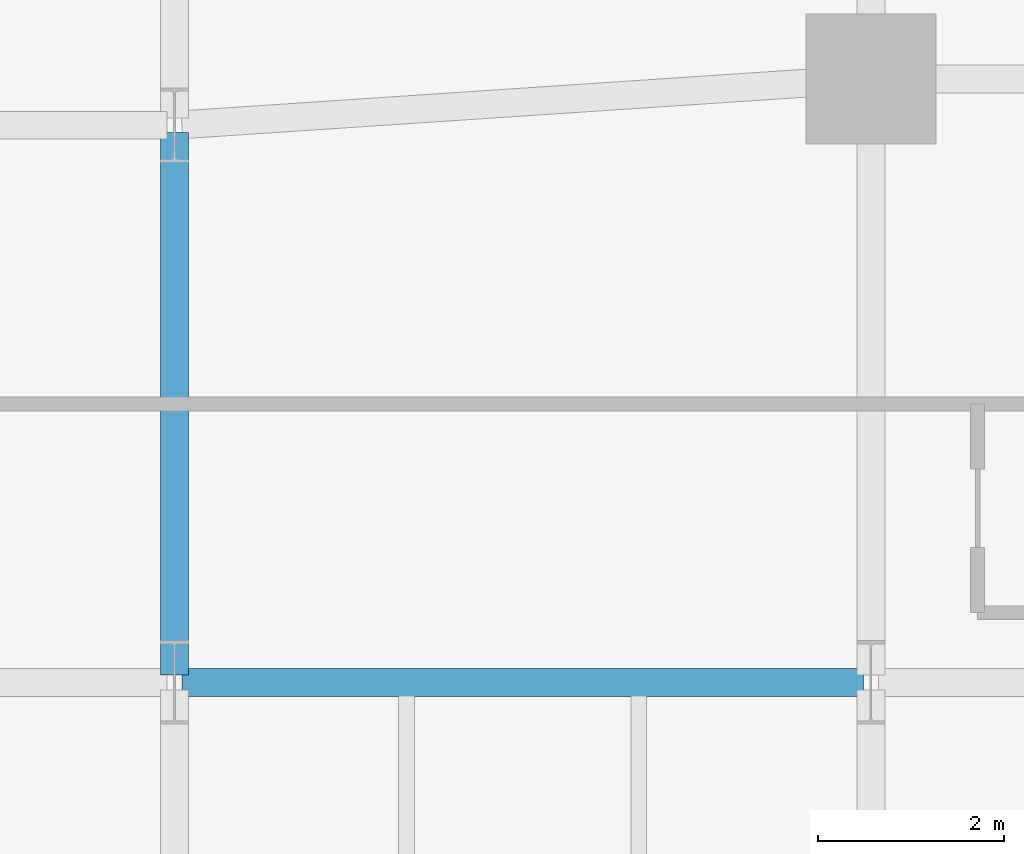
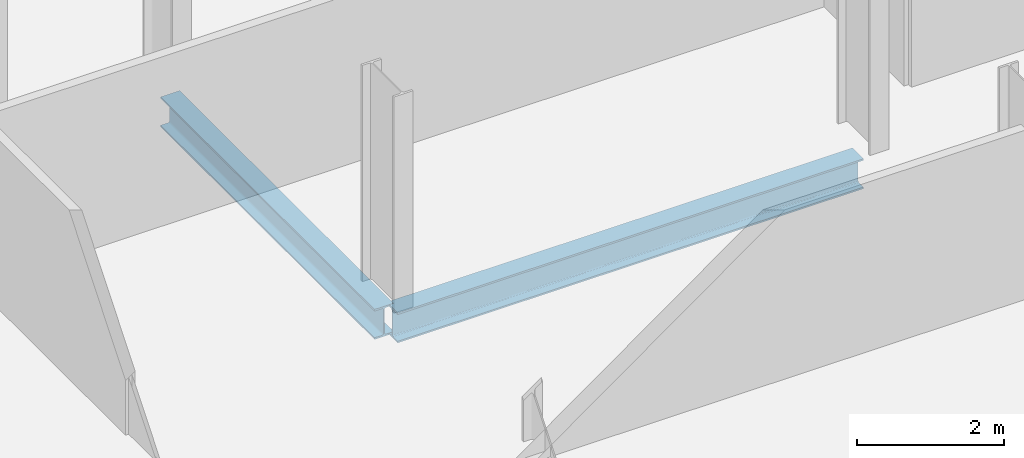
# One storey, part 10 of 33: 2 beams.
"""IFC4 building model written with IfcOpenShell, lengths in metres."""

from ifc_helpers import new_model, si_unit, direction, frame, origin, origin_2d, place, context, subcontext, project, spatial, i_section, extrude, material, material_profile, profile_set, type_object, element, save


model = new_model("IFC4")

# Units and contexts
model_context = context("Model", 3, precision=1e-05, world=origin(), true_north=direction((0.0, 1.0)))
body_context = subcontext(model_context, "Body", "Model", "MODEL_VIEW")
ifc_project = project(units=[si_unit("LENGTHUNIT", "METRE"), si_unit("AREAUNIT", "SQUARE_METRE"), si_unit("VOLUMEUNIT", "CUBIC_METRE"), si_unit("PLANEANGLEUNIT", "RADIAN"), si_unit("MASSUNIT", "GRAM", prefix="KILO")], contexts=[model_context])

# Site, building, storey
site_placement = place(None, origin())
site = spatial("IfcSite", under=ifc_project, at=site_placement, CompositionType="ELEMENT")
building_placement = place(site_placement, origin())
building = spatial("IfcBuilding", under=site, at=building_placement, Name="Catumbela Crestline Tower", CompositionType="ELEMENT")
storey_placement = place(building_placement, frame((0.0, 0.0, 51.0)))
storey = spatial("IfcBuildingStorey", under=building, at=storey_placement, Name="L12", CompositionType="ELEMENT", Elevation=51.0)

# Beams
ifc_material = material(Name="Structural steel S355J2", Category="steel")
ifc_material_profile = material_profile(ifc_material, i_section(OverallWidth=0.3, OverallDepth=0.5, WebThickness=0.0145, FlangeThickness=0.028, FilletRadius=0.027, at=origin_2d()), Name="HEB 500")
ifc_profile_set = profile_set([ifc_material_profile], Name="Structural steel S355J2")
beam_type = type_object("IfcBeamType", Name="BG-HEB500", PredefinedType="BEAM", material=ifc_profile_set)
beam_1_placement = place(storey_placement, frame((8.58, 18.0, -0.51), z_axis=(1.0, 0.0, 0.0), x_axis=(0.0, 1.0, 0.0)))
element("IfcBeam", 1, at=beam_1_placement, inside=storey, type_object=beam_type, Name="L12 Beam BM-L12-WEW55", PredefinedType="BEAM", context=body_context, shape_type="SweptSolid", body=[
    extrude(i_section(OverallWidth=0.3, OverallDepth=0.5, WebThickness=0.0145, FlangeThickness=0.028, FilletRadius=0.027, at=origin_2d()), origin(), (0.0, 0.0, 1.0), 7.34),
])
beam_2_placement = place(storey_placement, frame((8.5, 18.08, -0.51), z_axis=(0.0, 1.0, 0.0), x_axis=(-1.0, 0.0, 0.0)))
element("IfcBeam", 2, at=beam_2_placement, inside=storey, type_object=beam_type, Name="L12 Beam BM-L12-WNS63", PredefinedType="BEAM", context=body_context, shape_type="SweptSolid", body=[
    extrude(i_section(OverallWidth=0.3, OverallDepth=0.5, WebThickness=0.0145, FlangeThickness=0.028, FilletRadius=0.027, at=origin_2d()), origin(), (0.0, 0.0, 1.0), 5.84),
])

save(model, "model.ifc")
